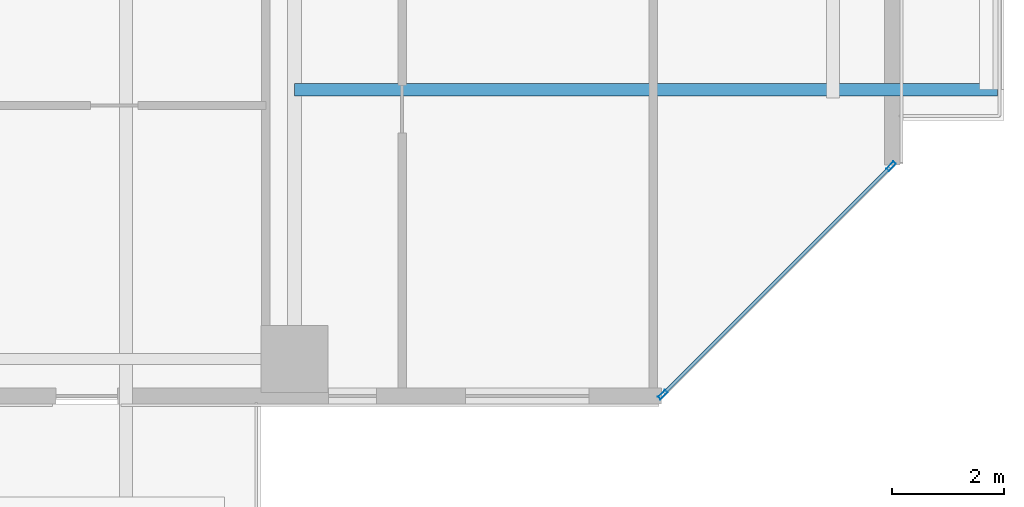
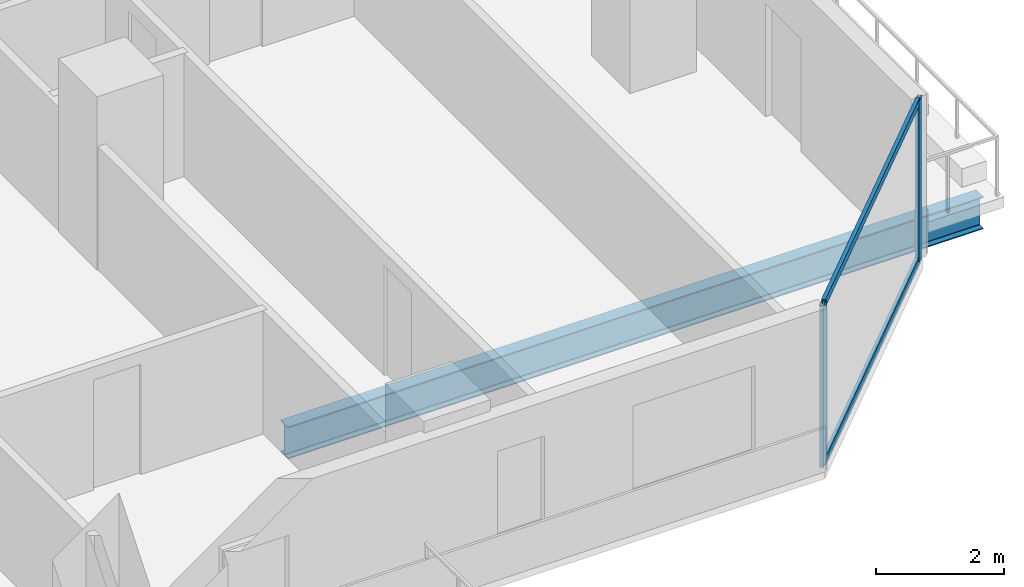
# One storey, part 13 of 33: 4 members, 1 beam, 1 element without a shape of its own.
"""IFC4 building model written with IfcOpenShell, lengths in metres."""

from ifc_helpers import new_model, si_unit, direction, frame, origin, origin_2d, place, context, subcontext, project, spatial, hollow_rectangle, i_section, extrude, material, layer, layer_set, material_profile, profile_set, type_object, element, aggregate, save


model = new_model("IFC4")

# Units and contexts
model_context = context("Model", 3, precision=1e-05, world=origin(), true_north=direction((0.0, 1.0)))
body_context = subcontext(model_context, "Body", "Model", "MODEL_VIEW")
ifc_project = project(units=[si_unit("LENGTHUNIT", "METRE"), si_unit("AREAUNIT", "SQUARE_METRE"), si_unit("VOLUMEUNIT", "CUBIC_METRE"), si_unit("PLANEANGLEUNIT", "RADIAN"), si_unit("MASSUNIT", "GRAM", prefix="KILO")], contexts=[model_context])

# Site, building, storey
site_placement = place(None, origin())
site = spatial("IfcSite", under=ifc_project, at=site_placement, CompositionType="ELEMENT")
building_placement = place(site_placement, origin())
building = spatial("IfcBuilding", under=site, at=building_placement, Name="Tanjung Sevakor Pilgrim Tower", CompositionType="ELEMENT")
storey_placement = place(building_placement, frame((0.0, 0.0, 38.93994140625)))
storey = spatial("IfcBuildingStorey", under=building, at=storey_placement, Name="L10", CompositionType="ELEMENT", Elevation=38.93994140625)

# Beam
ifc_material_1 = material(Name="Steel S355J2", Category="steel")
ifc_material_profile_1 = material_profile(ifc_material_1, i_section(OverallWidth=0.22900390625, OverallDepth=0.6123046875, WebThickness=0.011962890625, FlangeThickness=0.01953125, FilletRadius=0.0126953125, at=origin_2d()))
ifc_profile_set_1 = profile_set([ifc_material_profile_1], Name="Steel S355J2")
beam_type = type_object("IfcBeamType", Name="BM-B-G4-UB_610x229x125", PredefinedType="BEAM", material=ifc_profile_set_1)
beam_placement = place(storey_placement, frame((90.0, 13.199951171875, -0.526123046875), z_axis=(1.0, 0.0, 0.0), x_axis=(0.0, 1.0, 0.0)))
element("IfcBeam", 1, at=beam_placement, inside=storey, type_object=beam_type, Name="L10 Balcony Overhanging Beam MAIN-E1-1", PredefinedType="BEAM", context=body_context, shape_type="SweptSolid", body=[
    extrude(i_section(OverallWidth=0.22900390625, OverallDepth=0.6123046875, WebThickness=0.011962890625, FlangeThickness=0.01953125, FilletRadius=0.0126953125, at=origin_2d()), origin(), (0.0, 0.0, 1.0), 12.530029296875),
])

# Curtain wall, members
ifc_material_2 = material(Name="Aluminium 6063-T6 and Low-E Glass", Category="aluminium")
ifc_layer = layer(ifc_material_2, 0.179931640625)
ifc_layer_set = layer_set([ifc_layer], Name="CW-SYS-CHAM")
curtain_wall_type = type_object("IfcCurtainWallType", Name="CW-SYS-CHAM", PredefinedType="NOTDEFINED", material=ifc_layer_set)
curtain_wall_placement = place(storey_placement, origin())
curtain_wall = element("IfcCurtainWall", 2, at=curtain_wall_placement, inside=storey, type_object=curtain_wall_type, Name="L10 Curtain Wall CW-CHM-L10-MAIN-5", PredefinedType="NOTDEFINED")
ifc_material_3 = material(Name="Aluminium 6063-T6", Category="aluminium")
ifc_material_profile_2 = material_profile(ifc_material_3, hollow_rectangle(XDim=0.06494140625, YDim=0.179931640625, WallThickness=0.00390625, at=origin_2d()))
ifc_profile_set_2 = profile_set([ifc_material_profile_2], Name="Aluminium 6063-T6")
member_type_1 = type_object("IfcMemberType", Name="TYPE-CWM-1", PredefinedType="MULLION", material=ifc_profile_set_2)
member_1_placement = place(storey_placement, frame((96.56494140625, 7.762939453125, 0.0), z_axis=(0.0, 0.0, 1.0), x_axis=(-0.707106781187, 0.707106781187, 0.0)))
member_1 = element("IfcMember", 3, at=member_1_placement, type_object=member_type_1, Name="CW-CHM mullion 1", PredefinedType="MULLION", context=body_context, shape_type="SweptSolid", body=[
    extrude(hollow_rectangle(XDim=0.06494140625, YDim=0.179931640625, WallThickness=0.00390625, at=origin_2d()), origin(), (0.0, 0.0, 1.0), 3.080078125),
])
member_2_placement = place(storey_placement, frame((100.636962890625, 11.8349609375, 0.0), z_axis=(0.0, 0.0, 1.0), x_axis=(-0.707106781187, 0.707106781187, 0.0)))
member_2 = element("IfcMember", 4, at=member_2_placement, type_object=member_type_1, Name="CW-CHM mullion 2", PredefinedType="MULLION", context=body_context, shape_type="SweptSolid", body=[
    extrude(hollow_rectangle(XDim=0.06494140625, YDim=0.179931640625, WallThickness=0.00390625, at=origin_2d()), origin(), (0.0, 0.0, 1.0), 3.080078125),
])
ifc_material_4 = material(Name="Aluminium 6063-T6", Category="aluminium")
ifc_material_profile_3 = material_profile(ifc_material_4, hollow_rectangle(XDim=0.06494140625, YDim=0.139892578125, WallThickness=0.00390625, at=origin_2d()))
ifc_profile_set_3 = profile_set([ifc_material_profile_3], Name="Aluminium 6063-T6")
member_type_2 = type_object("IfcMemberType", Name="TYPE-CWT-1", PredefinedType="USERDEFINED", material=ifc_profile_set_3)
member_3_placement = place(storey_placement, frame((96.587890625, 7.785888671875, 0.032470703125), z_axis=(0.707106781187, 0.707106781187, 0.0), x_axis=(-0.707106781187, 0.707106781187, 0.0)))
member_3 = element("IfcMember", 5, at=member_3_placement, type_object=member_type_2, Name="CW-CHM transom 1.1", ObjectType="TRANSOM", PredefinedType="USERDEFINED", context=body_context, shape_type="SweptSolid", body=[
    extrude(hollow_rectangle(XDim=0.06494140625, YDim=0.139892578125, WallThickness=0.00390625, at=origin_2d()), origin(), (0.0, 0.0, 1.0), 5.69384765625),
])
member_4_placement = place(storey_placement, frame((96.587890625, 7.785888671875, 3.047607421875), z_axis=(0.707106781187, 0.707106781187, 0.0), x_axis=(-0.707106781187, 0.707106781187, 0.0)))
member_4 = element("IfcMember", 6, at=member_4_placement, type_object=member_type_2, Name="CW-CHM transom 1.2", ObjectType="TRANSOM", PredefinedType="USERDEFINED", context=body_context, shape_type="SweptSolid", body=[
    extrude(hollow_rectangle(XDim=0.06494140625, YDim=0.139892578125, WallThickness=0.00390625, at=origin_2d()), origin(), (0.0, 0.0, 1.0), 5.69384765625),
])
aggregate(curtain_wall, [member_1, member_2, member_3, member_4])

save(model, "model.ifc")
